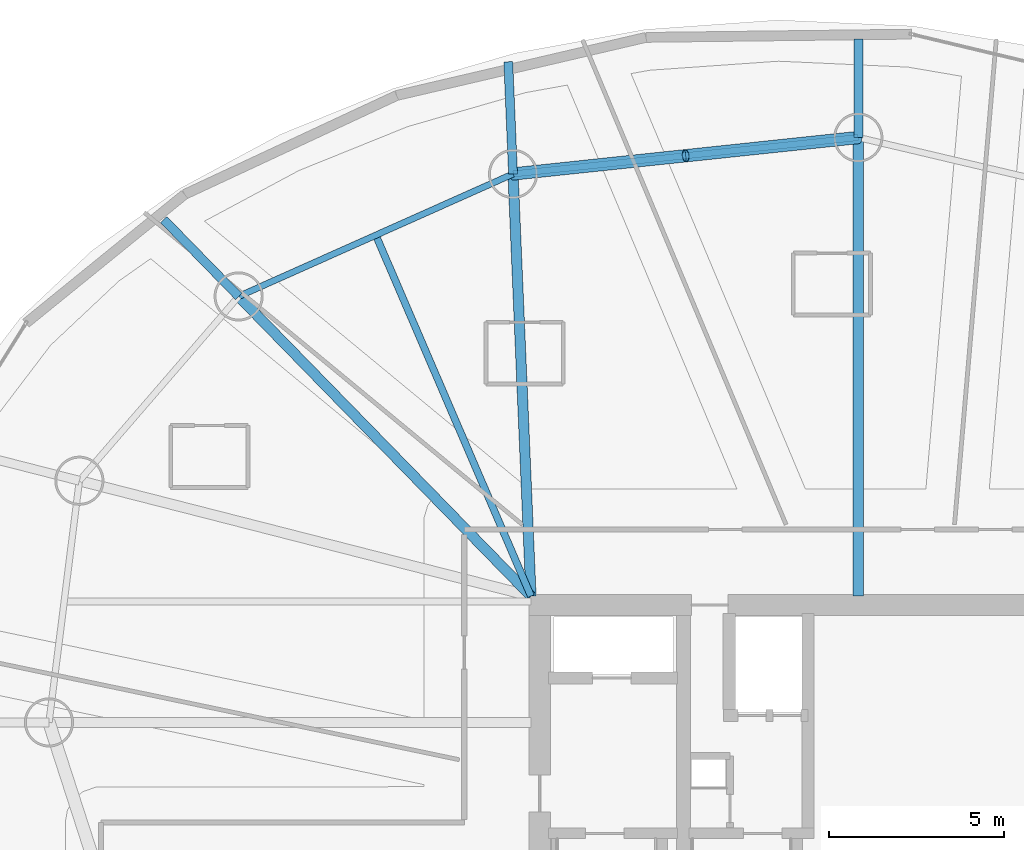
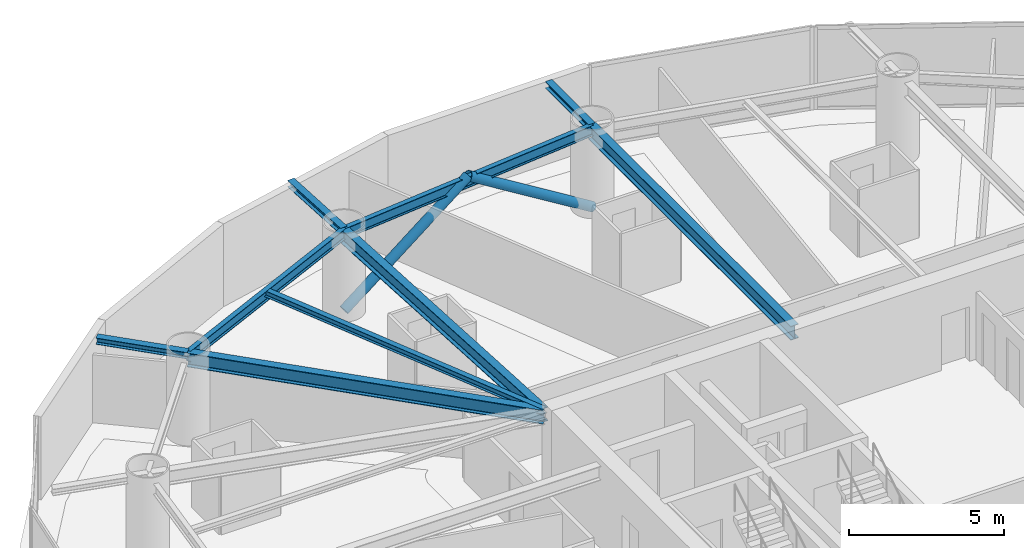
# One storey, part 11 of 22: 9 beams, 2 members.
"""IFC4 building model written with IfcOpenShell, lengths in metres."""

from ifc_helpers import new_model, si_unit, direction, frame, origin, origin_2d, place, context, subcontext, project, spatial, hollow_circle, i_section, extrude, material, material_profile, profile_set, type_object, element, save


model = new_model("IFC4")

# Units and contexts
model_context = context("Model", 3, precision=1e-05, world=origin(), true_north=direction((0.0, 1.0)))
body_context = subcontext(model_context, "Body", "Model", "MODEL_VIEW")
ifc_project = project(units=[si_unit("LENGTHUNIT", "METRE"), si_unit("AREAUNIT", "SQUARE_METRE"), si_unit("VOLUMEUNIT", "CUBIC_METRE"), si_unit("PLANEANGLEUNIT", "RADIAN"), si_unit("MASSUNIT", "GRAM", prefix="KILO")], contexts=[model_context])

# Site, building, storey
site_placement = place(None, origin())
site = spatial("IfcSite", under=ifc_project, at=site_placement, CompositionType="ELEMENT")
building_placement = place(site_placement, origin())
building = spatial("IfcBuilding", under=site, at=building_placement, Name="Bramvorn Convention Spire", CompositionType="ELEMENT")
storey_placement = place(building_placement, frame((0.0, 0.0, 116.800048828125)))
storey = spatial("IfcBuildingStorey", under=building, at=storey_placement, Name="L28", CompositionType="ELEMENT", Elevation=116.800048828125)

# Beams
ifc_material = material(Name="Steel CSA G40.21 Grade 350 (350W)", Category="steel")
ifc_material_profile_1 = material_profile(ifc_material, i_section(OverallWidth=0.201904296875, OverallDepth=0.2470703125, WebThickness=0.00732421875, FlangeThickness=0.010986328125, FilletRadius=0.011962890625, at=origin_2d()))
ifc_profile_set_1 = profile_set([ifc_material_profile_1], Name="Steel CSA G40.21 Grade 350 (350W) - W250X49")
beam_type_1 = type_object("IfcBeamType", Name="BM-W250X49", PredefinedType="JOIST", material=ifc_profile_set_1)
beam_1_placement = place(storey_placement, frame((26.75, 33.449951171875, 3.136474609375), z_axis=(-0.394937739893, 0.918707886985, 0.0), x_axis=(-0.918707886985, -0.394937739893, 0.0)))
element("IfcBeam", 1, at=beam_1_placement, inside=storey, type_object=beam_type_1, Name="L28 composite floor joist 07", PredefinedType="JOIST", context=body_context, shape_type="SweptSolid", body=[
    extrude(i_section(OverallWidth=0.201904296875, OverallDepth=0.2470703125, WebThickness=0.00732421875, FlangeThickness=0.010986328125, FilletRadius=0.011962890625, at=origin_2d()), origin(), (0.0, 0.0, 1.0), 11.19384765625),
])
ifc_material_profile_2 = material_profile(ifc_material, i_section(OverallWidth=0.25390625, OverallDepth=0.2529296875, WebThickness=0.008544921875, FlangeThickness=0.01416015625, FilletRadius=0.011962890625, at=origin_2d()))
ifc_profile_set_2 = profile_set([ifc_material_profile_2], Name="Steel CSA G40.21 Grade 350 (350W) - W250X73")
beam_type_2 = type_object("IfcBeamType", Name="BM-W250X73", PredefinedType="BEAM", material=ifc_profile_set_2)
beam_2_placement = place(storey_placement, frame((36.075927734375, 46.517333984375, 3.133544921875), z_axis=(0.0, 1.0, 0.0), x_axis=(-1.0, 0.0, 0.0)))
element("IfcBeam", 2, at=beam_2_placement, inside=storey, type_object=beam_type_2, Name="L28 slab-edge cantilever tip beam MC06", PredefinedType="BEAM", context=body_context, shape_type="SweptSolid", body=[
    extrude(i_section(OverallWidth=0.25390625, OverallDepth=0.2529296875, WebThickness=0.008544921875, FlangeThickness=0.01416015625, FilletRadius=0.011962890625, at=origin_2d()), origin(), (0.0, 0.0, 1.0), 2.811279296875),
])
beam_3_placement = place(storey_placement, frame((26.23828125, 45.478759765625, 3.133544921875), z_axis=(-0.042496892375, 0.999096599003, 0.0), x_axis=(-0.999096599003, -0.042496892375, 0.0)))
element("IfcBeam", 3, at=beam_3_placement, inside=storey, type_object=beam_type_2, Name="L28 slab-edge cantilever tip beam MC07", PredefinedType="BEAM", context=body_context, shape_type="SweptSolid", body=[
    extrude(i_section(OverallWidth=0.25390625, OverallDepth=0.2529296875, WebThickness=0.008544921875, FlangeThickness=0.01416015625, FilletRadius=0.011962890625, at=origin_2d()), origin(), (0.0, 0.0, 1.0), 3.199951171875),
])
beam_4_placement = place(storey_placement, frame((18.420166015625, 41.9892578125, 3.133544921875), z_axis=(-0.698262942897, 0.715841366908, 0.0), x_axis=(-0.715841366908, -0.698262942897, 0.0)))
element("IfcBeam", 4, at=beam_4_placement, inside=storey, type_object=beam_type_2, Name="L28 slab-edge cantilever tip beam MC08", PredefinedType="BEAM", context=body_context, shape_type="SweptSolid", body=[
    extrude(i_section(OverallWidth=0.25390625, OverallDepth=0.2529296875, WebThickness=0.008544921875, FlangeThickness=0.01416015625, FilletRadius=0.011962890625, at=origin_2d()), origin(), (0.0, 0.0, 1.0), 3.055419921875),
])
ifc_material_profile_3 = material_profile(ifc_material, i_section(OverallWidth=0.180908203125, OverallDepth=0.4169921875, WebThickness=0.010986328125, FlangeThickness=0.018310546875, FilletRadius=0.01611328125, at=origin_2d()))
ifc_profile_set_3 = profile_set([ifc_material_profile_3], Name="Steel CSA G40.21 Grade 350 (350W) - W410X85")
beam_type_3 = type_object("IfcBeamType", Name="BM-W410X85", PredefinedType="JOIST", material=ifc_profile_set_3)
beam_5_placement = place(storey_placement, frame((36.075927734375, 46.517333984375, 3.051513671875), z_axis=(-0.994473491975, -0.104987969596, 0.0), x_axis=(0.104987969596, -0.994473491975, 0.0)))
element("IfcBeam", 5, at=beam_5_placement, inside=storey, type_object=beam_type_3, Name="L28 mega-column ring beam 06", PredefinedType="JOIST", context=body_context, shape_type="SweptSolid", body=[
    extrude(i_section(OverallWidth=0.180908203125, OverallDepth=0.4169921875, WebThickness=0.010986328125, FlangeThickness=0.018310546875, FilletRadius=0.01611328125, at=origin_2d()), origin(), (0.0, 0.0, 1.0), 9.892333984375),
])
beam_6_placement = place(storey_placement, frame((26.23828125, 45.478759765625, 3.051513671875), z_axis=(-0.913169534701, -0.407579931908, 0.0), x_axis=(0.407579931908, -0.913169534701, 0.0)))
element("IfcBeam", 6, at=beam_6_placement, inside=storey, type_object=beam_type_3, Name="L28 mega-column ring beam 07", PredefinedType="JOIST", context=body_context, shape_type="SweptSolid", body=[
    extrude(i_section(OverallWidth=0.180908203125, OverallDepth=0.4169921875, WebThickness=0.010986328125, FlangeThickness=0.018310546875, FilletRadius=0.01611328125, at=origin_2d()), origin(), (0.0, 0.0, 1.0), 8.5615234375),
])
ifc_material_profile_4 = material_profile(ifc_material, i_section(OverallWidth=0.2919921875, OverallDepth=0.551025390625, WebThickness=0.01513671875, FlangeThickness=0.0244140625, FilletRadius=0.01904296875, at=origin_2d()))
ifc_profile_set_4 = profile_set([ifc_material_profile_4], Name="Steel CSA G40.21 Grade 350 (350W) - W530X182")
beam_type_4 = type_object("IfcBeamType", Name="BM-W530X182", PredefinedType="BEAM", material=ifc_profile_set_4)
beam_7_placement = place(storey_placement, frame((36.075927734375, 33.449951171875, 2.984375), z_axis=(0.0, 1.0, 0.0), x_axis=(-1.0, 0.0, 0.0)))
element("IfcBeam", 7, at=beam_7_placement, inside=storey, type_object=beam_type_4, Name="L28 radial floor girder MC06", PredefinedType="BEAM", context=body_context, shape_type="SweptSolid", body=[
    extrude(i_section(OverallWidth=0.2919921875, OverallDepth=0.551025390625, WebThickness=0.01513671875, FlangeThickness=0.0244140625, FilletRadius=0.01904296875, at=origin_2d()), origin(), (0.0, 0.0, 1.0), 13.0673828125),
])
beam_8_placement = place(storey_placement, frame((26.75, 33.449951171875, 2.984375), z_axis=(-0.042502657955, 0.999096353745, 0.0), x_axis=(-0.999096353745, -0.042502657955, 0.0)))
element("IfcBeam", 8, at=beam_8_placement, inside=storey, type_object=beam_type_4, Name="L28 radial floor girder MC07", PredefinedType="BEAM", context=body_context, shape_type="SweptSolid", body=[
    extrude(i_section(OverallWidth=0.2919921875, OverallDepth=0.551025390625, WebThickness=0.01513671875, FlangeThickness=0.0244140625, FilletRadius=0.01904296875, at=origin_2d()), origin(), (0.0, 0.0, 1.0), 12.039794921875),
])
beam_9_placement = place(storey_placement, frame((26.75, 33.449951171875, 2.984375), z_axis=(-0.698272445638, 0.715832097397, 0.0), x_axis=(-0.715832097397, -0.698272445638, 0.0)))
element("IfcBeam", 9, at=beam_9_placement, inside=storey, type_object=beam_type_4, Name="L28 radial floor girder MC08", PredefinedType="BEAM", context=body_context, shape_type="SweptSolid", body=[
    extrude(i_section(OverallWidth=0.2919921875, OverallDepth=0.551025390625, WebThickness=0.01513671875, FlangeThickness=0.0244140625, FilletRadius=0.01904296875, at=origin_2d()), origin(), (0.0, 0.0, 1.0), 11.92919921875),
])

# Members
ifc_material_profile_5 = material_profile(ifc_material, hollow_circle(Radius=0.177734375, WallThickness=0.015869140625, at=origin_2d()))
ifc_profile_set_5 = profile_set([ifc_material_profile_5], Name="Steel CSA G40.21 Grade 350 (350W) - CHS356X16")
member_type = type_object("IfcMemberType", Name="MBR-CHS356X16", PredefinedType="BRACE", material=ifc_profile_set_5)
member_1_placement = place(storey_placement, frame((36.075927734375, 46.517333984375, 0.0), z_axis=(-0.830346972509, -0.087658725954, 0.550308870553), x_axis=(0.104985392894, -0.994473763997, 0.0)))
element("IfcMember", 10, at=member_1_placement, inside=storey, type_object=member_type, Name="L28 perimeter Gothic lancet brace 6A", PredefinedType="BRACE", context=body_context, shape_type="SweptSolid", body=[
    extrude(hollow_circle(Radius=0.177734375, WallThickness=0.015869140625, at=origin_2d()), origin(), (0.0, 0.0, 1.0), 5.924072265625),
])
member_2_placement = place(storey_placement, frame((26.23828125, 45.478759765625, 0.0), z_axis=(0.830334174424, 0.087661725766, 0.550327702937), x_axis=(-0.104990546424, 0.994473219932, 0.0)))
element("IfcMember", 11, at=member_2_placement, inside=storey, type_object=member_type, Name="L28 perimeter Gothic lancet brace 6B", PredefinedType="BRACE", context=body_context, shape_type="SweptSolid", body=[
    extrude(hollow_circle(Radius=0.177734375, WallThickness=0.015869140625, at=origin_2d()), origin(), (0.0, 0.0, 1.0), 5.923828125),
])

save(model, "model.ifc")
